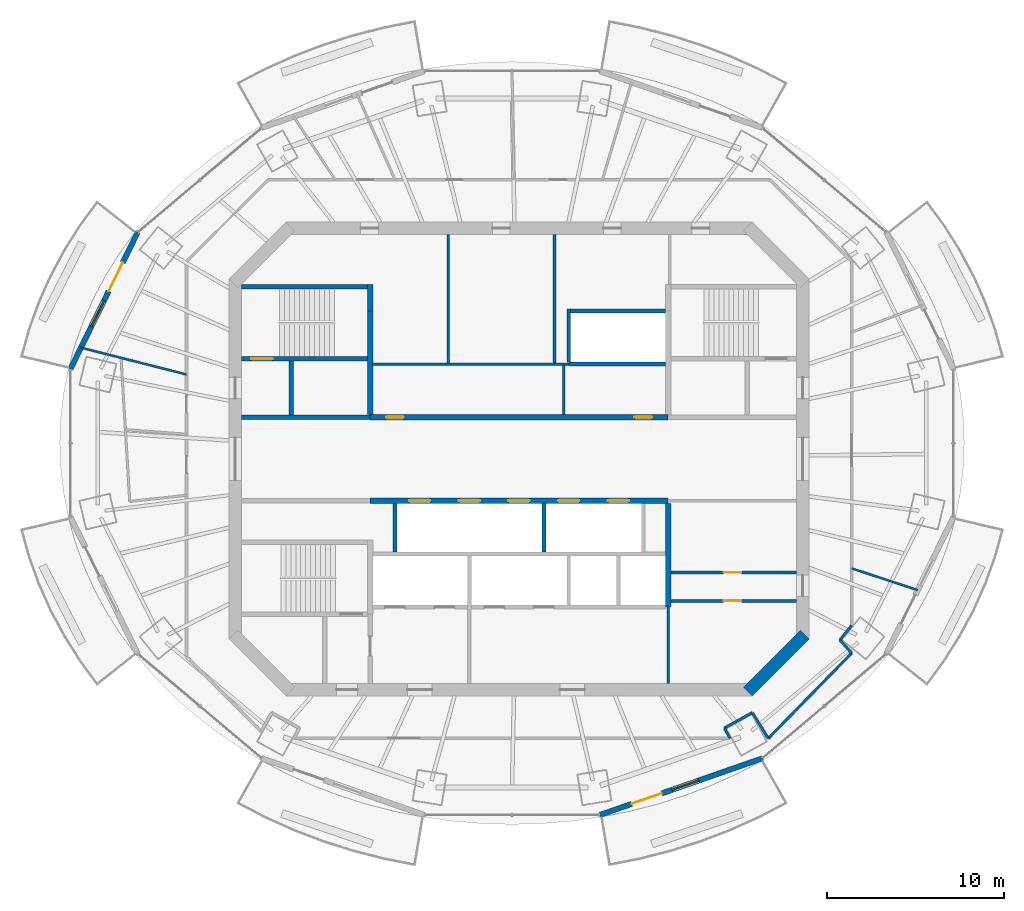
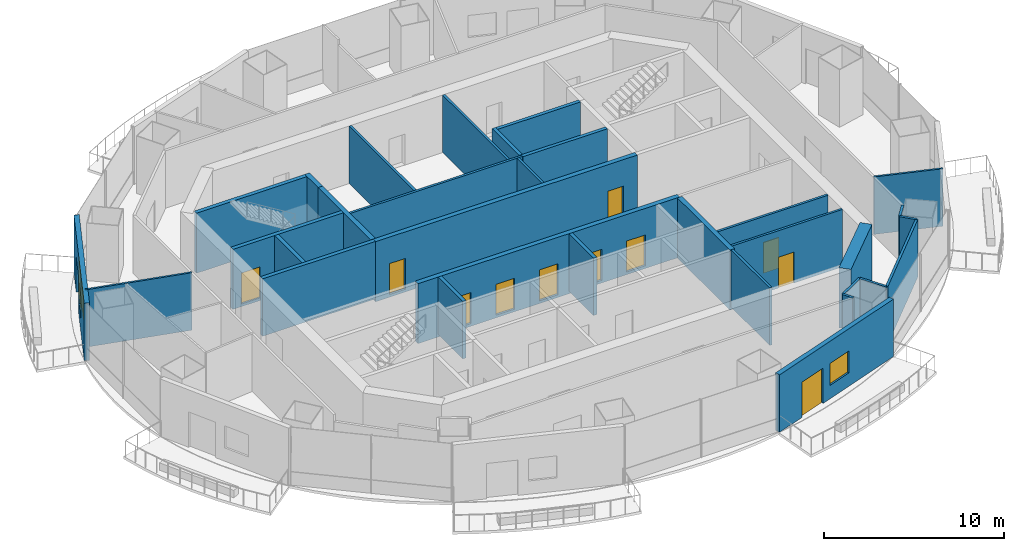
# One storey, part 9 of 14: 32 walls, 12 doors, 2 windows, 14 openings.
"""IFC4 building model written with IfcOpenShell, lengths in metres."""

from ifc_helpers import new_model, si_unit, direction, frame, frame_2d, origin, place, context, subcontext, project, spatial, rectangle, extrude, material, layer, layer_set, type_object, element, fill, save


model = new_model("IFC4")

# Units and contexts
model_context = context("Model", 3, precision=1e-05, world=origin(), true_north=direction((0.0, 1.0)))
body_context = subcontext(model_context, "Body", "Model", "MODEL_VIEW")
ifc_project = project(units=[si_unit("LENGTHUNIT", "METRE"), si_unit("AREAUNIT", "SQUARE_METRE"), si_unit("VOLUMEUNIT", "CUBIC_METRE"), si_unit("PLANEANGLEUNIT", "RADIAN"), si_unit("MASSUNIT", "GRAM", prefix="KILO")], contexts=[model_context])

# Site, building, storey
site_placement = place(None, origin())
site = spatial("IfcSite", under=ifc_project, at=site_placement, CompositionType="ELEMENT")
building_placement = place(site_placement, origin())
building = spatial("IfcBuilding", under=site, at=building_placement, Name="Marenthal Gate Tower", CompositionType="ELEMENT")
storey_placement = place(building_placement, frame((0.0, 0.0, 392.39990234375)))
storey = spatial("IfcBuildingStorey", under=building, at=storey_placement, Name="L89", CompositionType="ELEMENT", Elevation=392.39990234375)

# Wall
ifc_material_1 = material(Name="Concrete 60 MPa", Category="concrete")
ifc_layer_1 = layer(ifc_material_1, 0.699951171875)
ifc_layer_set_1 = layer_set([ifc_layer_1], Name="Core shear wall 700")
wall_type_1 = type_object("IfcWallType", Name="Core shear wall 700", PredefinedType="SHEAR", material=ifc_layer_set_1)
wall_1_placement = place(storey_placement, frame((12.8974609375, -13.1025390625, -0.179931640625), z_axis=(0.0, 0.0, 1.0), x_axis=(0.707106781187, 0.707106781187, 0.0)))
element("IfcWall", 1, at=wall_1_placement, inside=storey, type_object=wall_type_1, Name="Core wall 01", PredefinedType="SHEAR", context=body_context, shape_type="SweptSolid", body=[
    extrude(rectangle(XDim=4.53271484375, YDim=0.699951171875, at=frame_2d((2.266357421875, 0.0))), origin(), (0.0, 0.0, 1.0), 4.080078125),
])

# Wall, openings, doors
ifc_material_2 = material(Name="Concrete 50 MPa", Category="concrete")
ifc_layer_2 = layer(ifc_material_2, 0.300048828125)
ifc_layer_set_2 = layer_set([ifc_layer_2], Name="Hoistway shear wall 300")
wall_type_2 = type_object("IfcWallType", Name="Hoistway shear wall 300", PredefinedType="SHEAR", material=ifc_layer_set_2)
wall_2_placement = place(storey_placement, frame((-8.39990234375, -2.35009765625, -0.179931640625), z_axis=(0.0, 0.0, 1.0), x_axis=(1.0, 0.0, 0.0)))
wall_2 = element("IfcWall", 2, at=wall_2_placement, inside=storey, type_object=wall_type_2, Name="Hoistway wall 17", PredefinedType="SHEAR", context=body_context, shape_type="SweptSolid", body=[
    extrude(rectangle(XDim=16.7998046875, YDim=0.300048828125, at=frame_2d((8.39990234375, 0.0))), origin(), (0.0, 0.0, 1.0), 4.080078125),
])
opening_1_placement = place(wall_2_placement, frame((2.199951171875, 0.0, 0.179931640625)))
opening_1 = element("IfcOpeningElement", 3, at=opening_1_placement, cuts=wall_2, Name="Opening LD-HP1", PredefinedType="OPENING", context=body_context, shape_type="SweptSolid", body=[
    extrude(rectangle(XDim=1.199951171875, YDim=2.10009765625, at=frame_2d((0.60009765625, 1.050048828125))), frame((0.0, 0.16015625, 0.0), z_axis=(0.0, -1.0, 0.0), x_axis=(1.0, 0.0, 0.0)), (0.0, 0.0, 1.0), 0.320068359375),
])
opening_2_placement = place(wall_2_placement, frame((5.0, 0.0, 0.179931640625)))
opening_2 = element("IfcOpeningElement", 4, at=opening_2_placement, cuts=wall_2, Name="Opening LD-HP2", PredefinedType="OPENING", context=body_context, shape_type="SweptSolid", body=[
    extrude(rectangle(XDim=1.199951171875, YDim=2.10009765625, at=frame_2d((0.60009765625, 1.050048828125))), frame((0.0, 0.16015625, 0.0), z_axis=(0.0, -1.0, 0.0), x_axis=(1.0, 0.0, 0.0)), (0.0, 0.0, 1.0), 0.320068359375),
])
opening_3_placement = place(wall_2_placement, frame((7.800048828125, 0.0, 0.179931640625)))
opening_3 = element("IfcOpeningElement", 5, at=opening_3_placement, cuts=wall_2, Name="Opening LD-HP3", PredefinedType="OPENING", context=body_context, shape_type="SweptSolid", body=[
    extrude(rectangle(XDim=1.199951171875, YDim=2.10009765625, at=frame_2d((0.60009765625, 1.050048828125))), frame((0.0, 0.16015625, 0.0), z_axis=(0.0, -1.0, 0.0), x_axis=(1.0, 0.0, 0.0)), (0.0, 0.0, 1.0), 0.320068359375),
])
opening_4_placement = place(wall_2_placement, frame((10.60009765625, 0.0, 0.179931640625)))
opening_4 = element("IfcOpeningElement", 6, at=opening_4_placement, cuts=wall_2, Name="Opening LD-HP4", PredefinedType="OPENING", context=body_context, shape_type="SweptSolid", body=[
    extrude(rectangle(XDim=1.199951171875, YDim=2.10009765625, at=frame_2d((0.60009765625, 1.050048828125))), frame((0.0, 0.16015625, 0.0), z_axis=(0.0, -1.0, 0.0), x_axis=(1.0, 0.0, 0.0)), (0.0, 0.0, 1.0), 0.320068359375),
])
opening_5_placement = place(wall_2_placement, frame((13.39990234375, 0.0, 0.179931640625)))
opening_5 = element("IfcOpeningElement", 7, at=opening_5_placement, cuts=wall_2, Name="Opening LD-HP5", PredefinedType="OPENING", context=body_context, shape_type="SweptSolid", body=[
    extrude(rectangle(XDim=1.199951171875, YDim=2.10009765625, at=frame_2d((0.60009765625, 1.050048828125))), frame((0.0, 0.16015625, 0.0), z_axis=(0.0, -1.0, 0.0), x_axis=(1.0, 0.0, 0.0)), (0.0, 0.0, 1.0), 0.320068359375),
])
ifc_material_3 = material(Name="Stainless steel sliding door", Category="steel")
door_type_1 = type_object("IfcDoorType", Name="Lift landing door FD 90 1200 x 2100", OperationType="DOUBLE_DOOR_SLIDING", PredefinedType="DOOR", material=ifc_material_3)
door_1_placement = place(opening_1_placement, origin())
door_1 = element("IfcDoor", 8, at=door_1_placement, inside=storey, type_object=door_type_1, Name="Lift landing door HP1", OperationType="DOUBLE_DOOR_SLIDING", OverallHeight=2.10009765625, OverallWidth=1.199951171875, PredefinedType="DOOR", context=body_context, shape_type="SweptSolid", body=[
    extrude(rectangle(XDim=1.199951171875, YDim=2.10009765625, at=frame_2d((0.60009765625, 1.050048828125))), frame((0.0, 0.02490234375, 0.0), z_axis=(0.0, -1.0, 0.0), x_axis=(1.0, 0.0, 0.0)), (0.0, 0.0, 1.0), 0.050048828125),
])
fill(opening_1, door_1)
door_2_placement = place(opening_2_placement, origin())
door_2 = element("IfcDoor", 9, at=door_2_placement, inside=storey, type_object=door_type_1, Name="Lift landing door HP2", OperationType="DOUBLE_DOOR_SLIDING", OverallHeight=2.10009765625, OverallWidth=1.199951171875, PredefinedType="DOOR", context=body_context, shape_type="SweptSolid", body=[
    extrude(rectangle(XDim=1.199951171875, YDim=2.10009765625, at=frame_2d((0.60009765625, 1.050048828125))), frame((0.0, 0.02490234375, 0.0), z_axis=(0.0, -1.0, 0.0), x_axis=(1.0, 0.0, 0.0)), (0.0, 0.0, 1.0), 0.050048828125),
])
fill(opening_2, door_2)
door_3_placement = place(opening_3_placement, origin())
door_3 = element("IfcDoor", 10, at=door_3_placement, inside=storey, type_object=door_type_1, Name="Lift landing door HP3", OperationType="DOUBLE_DOOR_SLIDING", OverallHeight=2.10009765625, OverallWidth=1.199951171875, PredefinedType="DOOR", context=body_context, shape_type="SweptSolid", body=[
    extrude(rectangle(XDim=1.199951171875, YDim=2.10009765625, at=frame_2d((0.60009765625, 1.050048828125))), frame((0.0, 0.02490234375, 0.0), z_axis=(0.0, -1.0, 0.0), x_axis=(1.0, 0.0, 0.0)), (0.0, 0.0, 1.0), 0.050048828125),
])
fill(opening_3, door_3)
door_4_placement = place(opening_4_placement, origin())
door_4 = element("IfcDoor", 11, at=door_4_placement, inside=storey, type_object=door_type_1, Name="Lift landing door HP4", OperationType="DOUBLE_DOOR_SLIDING", OverallHeight=2.10009765625, OverallWidth=1.199951171875, PredefinedType="DOOR", context=body_context, shape_type="SweptSolid", body=[
    extrude(rectangle(XDim=1.199951171875, YDim=2.10009765625, at=frame_2d((0.60009765625, 1.050048828125))), frame((0.0, 0.02490234375, 0.0), z_axis=(0.0, -1.0, 0.0), x_axis=(1.0, 0.0, 0.0)), (0.0, 0.0, 1.0), 0.050048828125),
])
fill(opening_4, door_4)
door_5_placement = place(opening_5_placement, origin())
door_5 = element("IfcDoor", 12, at=door_5_placement, inside=storey, type_object=door_type_1, Name="Lift landing door HP5", OperationType="DOUBLE_DOOR_SLIDING", OverallHeight=2.10009765625, OverallWidth=1.199951171875, PredefinedType="DOOR", context=body_context, shape_type="SweptSolid", body=[
    extrude(rectangle(XDim=1.199951171875, YDim=2.10009765625, at=frame_2d((0.60009765625, 1.050048828125))), frame((0.0, 0.02490234375, 0.0), z_axis=(0.0, -1.0, 0.0), x_axis=(1.0, 0.0, 0.0)), (0.0, 0.0, 1.0), 0.050048828125),
])
fill(opening_5, door_5)

wall_3_placement = place(storey_placement, frame((-8.39990234375, 2.35009765625, -0.179931640625), z_axis=(0.0, 0.0, 1.0), x_axis=(1.0, 0.0, 0.0)))
wall_3 = element("IfcWall", 13, at=wall_3_placement, inside=storey, type_object=wall_type_2, Name="Hoistway wall 20", PredefinedType="SHEAR", context=body_context, shape_type="SweptSolid", body=[
    extrude(rectangle(XDim=16.7998046875, YDim=0.300048828125, at=frame_2d((8.39990234375, 0.0))), origin(), (0.0, 0.0, 1.0), 4.080078125),
])
opening_6_placement = place(wall_3_placement, frame((0.89990234375, 0.0, 0.179931640625)))
opening_6 = element("IfcOpeningElement", 14, at=opening_6_placement, cuts=wall_3, Name="Opening D005.01", PredefinedType="OPENING", context=body_context, shape_type="SweptSolid", body=[
    extrude(rectangle(XDim=1.0, YDim=2.10009765625, at=frame_2d((0.5, 1.050048828125))), frame((0.0, 0.16015625, 0.0), z_axis=(0.0, -1.0, 0.0), x_axis=(1.0, 0.0, 0.0)), (0.0, 0.0, 1.0), 0.320068359375),
])
opening_7_placement = place(wall_3_placement, frame((14.89990234375, 0.0, 0.179931640625)))
opening_7 = element("IfcOpeningElement", 15, at=opening_7_placement, cuts=wall_3, Name="Opening D005.02", PredefinedType="OPENING", context=body_context, shape_type="SweptSolid", body=[
    extrude(rectangle(XDim=1.0, YDim=2.10009765625, at=frame_2d((0.5, 1.050048828125))), frame((0.0, 0.16015625, 0.0), z_axis=(0.0, -1.0, 0.0), x_axis=(1.0, 0.0, 0.0)), (0.0, 0.0, 1.0), 0.320068359375),
])
ifc_material_4 = material(Name="Steel fire door", Category="steel")
door_type_2 = type_object("IfcDoorType", Name="Fire door FD 45 1000 x 2100", OperationType="NOTDEFINED", PredefinedType="DOOR", material=ifc_material_4)
door_6_placement = place(opening_6_placement, origin())
door_6 = element("IfcDoor", 16, at=door_6_placement, inside=storey, type_object=door_type_2, Name="Door D005.01", OperationType="SINGLE_SWING_RIGHT", OverallHeight=2.10009765625, OverallWidth=1.0, PredefinedType="DOOR", context=body_context, shape_type="SweptSolid", body=[
    extrude(rectangle(XDim=1.0, YDim=2.10009765625, at=frame_2d((0.5, 1.050048828125))), frame((0.0, 0.02490234375, 0.0), z_axis=(0.0, -1.0, 0.0), x_axis=(1.0, 0.0, 0.0)), (0.0, 0.0, 1.0), 0.050048828125),
])
fill(opening_6, door_6)
door_7_placement = place(opening_7_placement, origin())
door_7 = element("IfcDoor", 17, at=door_7_placement, inside=storey, type_object=door_type_2, Name="Door D005.02", OperationType="SINGLE_SWING_RIGHT", OverallHeight=2.10009765625, OverallWidth=1.0, PredefinedType="DOOR", context=body_context, shape_type="SweptSolid", body=[
    extrude(rectangle(XDim=1.0, YDim=2.10009765625, at=frame_2d((0.5, 1.050048828125))), frame((0.0, 0.02490234375, 0.0), z_axis=(0.0, -1.0, 0.0), x_axis=(1.0, 0.0, 0.0)), (0.0, 0.0, 1.0), 0.050048828125),
])
fill(opening_7, door_7)

# Walls
for number, where, z_axis, x_axis, name in (
    (18, (-8.39990234375, 2.5, -0.179931640625), (0.0, 0.0, 1.0), (0.0, 1.0, 0.0), "Hoistway wall 33"),
    (19, (8.39990234375, -8.35009765625, -0.179931640625), (0.0, 0.0, 1.0), (0.0, 1.0, 0.0), "Hoistway wall 47"),
):
    element("IfcWall", number, at=place(storey_placement, frame(where, z_axis=z_axis, x_axis=x_axis)), inside=storey, type_object=wall_type_2, Name=name, PredefinedType="SHEAR", context=body_context, shape_type="SweptSolid", body=[
        extrude(rectangle(XDim=5.85009765625, YDim=0.300048828125, at=frame_2d((2.925048828125, 0.0))), origin(), (0.0, 0.0, 1.0), 4.080078125),
    ])
ifc_material_5 = material(Name="Concrete 40 MPa", Category="concrete")
ifc_layer_3 = layer(ifc_material_5, 0.219970703125)
ifc_layer_set_3 = layer_set([ifc_layer_3], Name="Hoistway wall 220")
wall_type_3 = type_object("IfcWallType", Name="Hoistway wall 220", PredefinedType="STANDARD", material=ifc_layer_set_3)
wall_4_placement = place(storey_placement, frame((2.800048828125, 5.35009765625, 0.0), z_axis=(0.0, 0.0, 1.0), x_axis=(1.0, 0.0, 0.0)))
element("IfcWall", 20, at=wall_4_placement, inside=storey, type_object=wall_type_3, Name="Hoistway wall 23", PredefinedType="STANDARD", context=body_context, shape_type="SweptSolid", body=[
    extrude(rectangle(XDim=5.449951171875, YDim=0.219970703125, at=frame_2d((2.72509765625, 0.0))), origin(), (0.0, 0.0, 1.0), 3.900146484375),
])
wall_5_placement = place(storey_placement, frame((2.909912109375, 8.35009765625, 0.0), z_axis=(0.0, 0.0, 1.0), x_axis=(1.0, 0.0, 0.0)))
element("IfcWall", 21, at=wall_5_placement, inside=storey, type_object=wall_type_3, Name="Hoistway wall 26", PredefinedType="STANDARD", context=body_context, shape_type="SweptSolid", body=[
    extrude(rectangle(XDim=5.340087890625, YDim=0.219970703125, at=frame_2d((2.669921875, 0.0))), origin(), (0.0, 0.0, 1.0), 3.900146484375),
])
for number, where, z_axis, x_axis, name in (
    (22, (-7.0, -5.239990234375, 0.0), (0.0, 0.0, 1.0), (0.0, 1.0, 0.0), "Hoistway wall 35"),
    (23, (1.39990234375, -5.239990234375, 0.0), (0.0, 0.0, 1.0), (0.0, 1.0, 0.0), "Hoistway wall 39"),
):
    element("IfcWall", number, at=place(storey_placement, frame(where, z_axis=z_axis, x_axis=x_axis)), inside=storey, type_object=wall_type_3, Name=name, PredefinedType="STANDARD", context=body_context, shape_type="SweptSolid", body=[
        extrude(rectangle(XDim=2.739990234375, YDim=0.219970703125, at=frame_2d((1.3701171875, 0.0))), origin(), (0.0, 0.0, 1.0), 3.900146484375),
    ])
wall_6_placement = place(storey_placement, frame((2.800048828125, 5.4599609375, 0.0), z_axis=(0.0, 0.0, 1.0), x_axis=(0.0, 1.0, 0.0)))
element("IfcWall", 24, at=wall_6_placement, inside=storey, type_object=wall_type_3, Name="Hoistway wall 43", PredefinedType="STANDARD", context=body_context, shape_type="SweptSolid", body=[
    extrude(rectangle(XDim=3.0, YDim=0.219970703125, at=frame_2d((1.5, 0.0))), origin(), (0.0, 0.0, 1.0), 3.900146484375),
])
ifc_material_6 = material(Name="Gypsum board on steel studs", Category="steel")
ifc_layer_4 = layer(ifc_material_6, 0.1201171875)
ifc_layer_set_4 = layer_set([ifc_layer_4], Name="Partition 120")
wall_type_4 = type_object("IfcWallType", Name="Partition 120", PredefinedType="PARTITIONING", material=ifc_layer_set_4)
wall_7_placement = place(storey_placement, frame((-18.75, 4.765380859375, 0.0), z_axis=(0.0, 0.0, 1.0), x_axis=(-0.969189937919, 0.246314563589, 0.0)))
element("IfcWall", 25, at=wall_7_placement, inside=storey, type_object=wall_type_4, Name="Partition wall 56", PredefinedType="PARTITIONING", context=body_context, shape_type="SweptSolid", body=[
    extrude(rectangle(XDim=6.138427734375, YDim=0.1201171875, at=frame_2d((3.0693359375, 0.0))), origin(), (0.0, 0.0, 1.0), 3.900146484375),
])
wall_8_placement = place(storey_placement, frame((18.75, -6.166015625, 0.0), z_axis=(0.0, 0.0, 1.0), x_axis=(0.949948202416, -0.312407446657, 0.0)))
element("IfcWall", 26, at=wall_8_placement, inside=storey, type_object=wall_type_4, Name="Partition wall 75", PredefinedType="PARTITIONING", context=body_context, shape_type="SweptSolid", body=[
    extrude(rectangle(XDim=3.91357421875, YDim=0.1201171875, at=frame_2d((1.956787109375, 0.0))), origin(), (0.0, 0.0, 1.0), 3.900146484375),
])

# Wall, opening, door
ifc_material_7 = material(Name="Gypsum board on steel studs", Category="steel")
ifc_layer_5 = layer(ifc_material_7, 0.14990234375)
ifc_layer_set_5 = layer_set([ifc_layer_5], Name="Partition 150")
wall_type_5 = type_object("IfcWallType", Name="Partition 150", PredefinedType="PARTITIONING", material=ifc_layer_set_5)
wall_9_placement = place(storey_placement, frame((8.550048828125, -8.0, 0.0), z_axis=(0.0, 0.0, 1.0), x_axis=(1.0, 0.0, 0.0)))
wall_9 = element("IfcWall", 27, at=wall_9_placement, inside=storey, type_object=wall_type_5, Name="Partition wall 12", PredefinedType="PARTITIONING", context=body_context, shape_type="SweptSolid", body=[
    extrude(rectangle(XDim=7.099853515625, YDim=0.14990234375, at=frame_2d((3.5498046875, 0.0))), origin(), (0.0, 0.0, 1.0), 3.900146484375),
])
opening_8_placement = place(wall_9_placement, frame((2.97509765625, 0.0, 0.0)))
opening_8 = element("IfcOpeningElement", 28, at=opening_8_placement, cuts=wall_9, Name="Opening D005.08", PredefinedType="OPENING", context=body_context, shape_type="SweptSolid", body=[
    extrude(rectangle(XDim=1.0, YDim=2.10009765625, at=frame_2d((0.5, 1.050048828125))), frame((0.0, 0.0849609375, 0.0), z_axis=(0.0, -1.0, 0.0), x_axis=(1.0, 0.0, 0.0)), (0.0, 0.0, 1.0), 0.169921875),
])
door_8_placement = place(opening_8_placement, frame((1.0, 0.0, 0.0), z_axis=(0.0, 0.0, 1.0), x_axis=(-1.0, 0.0, 0.0)))
door_8 = element("IfcDoor", 29, at=door_8_placement, inside=storey, type_object=door_type_2, Name="Door D005.08", OperationType="SINGLE_SWING_LEFT", OverallHeight=2.10009765625, OverallWidth=1.0, PredefinedType="DOOR", context=body_context, shape_type="SweptSolid", body=[
    extrude(rectangle(XDim=1.0, YDim=2.10009765625, at=frame_2d((0.5, 1.050048828125))), frame((0.0, 0.02490234375, 0.0), z_axis=(0.0, -1.0, 0.0), x_axis=(1.0, 0.0, 0.0)), (0.0, 0.0, 1.0), 0.050048828125),
])
fill(opening_8, door_8)

wall_10_placement = place(storey_placement, frame((8.550048828125, -6.39990234375, 0.0), z_axis=(0.0, 0.0, 1.0), x_axis=(1.0, 0.0, 0.0)))
wall_10 = element("IfcWall", 30, at=wall_10_placement, inside=storey, type_object=wall_type_5, Name="Partition wall 13", PredefinedType="PARTITIONING", context=body_context, shape_type="SweptSolid", body=[
    extrude(rectangle(XDim=7.099853515625, YDim=0.14990234375, at=frame_2d((3.5498046875, 0.0))), origin(), (0.0, 0.0, 1.0), 3.900146484375),
])
opening_9_placement = place(wall_10_placement, frame((2.97509765625, 0.0, 0.0)))
opening_9 = element("IfcOpeningElement", 31, at=opening_9_placement, cuts=wall_10, Name="Opening D005.07", PredefinedType="OPENING", context=body_context, shape_type="SweptSolid", body=[
    extrude(rectangle(XDim=1.0, YDim=2.10009765625, at=frame_2d((0.5, 1.050048828125))), frame((0.0, 0.0849609375, 0.0), z_axis=(0.0, -1.0, 0.0), x_axis=(1.0, 0.0, 0.0)), (0.0, 0.0, 1.0), 0.169921875),
])
door_9_placement = place(opening_9_placement, origin())
door_9 = element("IfcDoor", 32, at=door_9_placement, inside=storey, type_object=door_type_2, Name="Door D005.07", OperationType="SINGLE_SWING_RIGHT", OverallHeight=2.10009765625, OverallWidth=1.0, PredefinedType="DOOR", context=body_context, shape_type="SweptSolid", body=[
    extrude(rectangle(XDim=1.0, YDim=2.10009765625, at=frame_2d((0.5, 1.050048828125))), frame((0.0, 0.02490234375, 0.0), z_axis=(0.0, -1.0, 0.0), x_axis=(1.0, 0.0, 0.0)), (0.0, 0.0, 1.0), 0.050048828125),
])
fill(opening_9, door_9)

# Walls
wall_11_placement = place(storey_placement, frame((-8.25, 5.35009765625, 0.0), z_axis=(0.0, 0.0, 1.0), x_axis=(1.0, 0.0, 0.0)))
element("IfcWall", 33, at=wall_11_placement, inside=storey, type_object=wall_type_5, Name="Partition wall 22", PredefinedType="PARTITIONING", context=body_context, shape_type="SweptSolid", body=[
    extrude(rectangle(XDim=11.050048828125, YDim=0.14990234375, at=frame_2d((5.52490234375, 0.0))), origin(), (0.0, 0.0, 1.0), 3.900146484375),
])
for number, where, z_axis, x_axis, name in (
    (34, (-4.0, 5.425048828125, 0.0), (0.0, 0.0, 1.0), (0.0, 1.0, 0.0), "Partition wall 36"),
    (35, (2.0, 5.425048828125, 0.0), (0.0, 0.0, 1.0), (0.0, 1.0, 0.0), "Partition wall 40"),
):
    element("IfcWall", number, at=place(storey_placement, frame(where, z_axis=z_axis, x_axis=x_axis)), inside=storey, type_object=wall_type_5, Name=name, PredefinedType="PARTITIONING", context=body_context, shape_type="SweptSolid", body=[
        extrude(rectangle(XDim=7.224853515625, YDim=0.14990234375, at=frame_2d((3.6123046875, 0.0))), origin(), (0.0, 0.0, 1.0), 3.900146484375),
    ])
wall_12_placement = place(storey_placement, frame((2.52001953125, 2.5, 0.0), z_axis=(0.0, 0.0, 1.0), x_axis=(0.0, 1.0, 0.0)))
element("IfcWall", 36, at=wall_12_placement, inside=storey, type_object=wall_type_5, Name="Partition wall 41", PredefinedType="PARTITIONING", context=body_context, shape_type="SweptSolid", body=[
    extrude(rectangle(XDim=2.77490234375, YDim=0.14990234375, at=frame_2d((1.387451171875, 0.0))), origin(), (0.0, 0.0, 1.0), 3.900146484375),
])
wall_13_placement = place(storey_placement, frame((8.39990234375, -12.64990234375, 0.0), z_axis=(0.0, 0.0, 1.0), x_axis=(0.0, 1.0, 0.0)))
element("IfcWall", 37, at=wall_13_placement, inside=storey, type_object=wall_type_5, Name="Partition wall 46", PredefinedType="PARTITIONING", context=body_context, shape_type="SweptSolid", body=[
    extrude(rectangle(XDim=4.2998046875, YDim=0.14990234375, at=frame_2d((2.14990234375, 0.0))), origin(), (0.0, 0.0, 1.0), 3.900146484375),
])
wall_14_placement = place(storey_placement, frame((11.574462890625, -15.169921875, 0.0), z_axis=(0.0, 0.0, 1.0), x_axis=(0.485642931179, -0.874157276122, 0.0)))
element("IfcWall", 38, at=wall_14_placement, inside=storey, type_object=wall_type_5, Name="Partition wall 67", PredefinedType="PARTITIONING", context=body_context, shape_type="SweptSolid", body=[
    extrude(rectangle(XDim=0.66357421875, YDim=0.14990234375, at=frame_2d((0.331787109375, 0.0))), origin(), (0.0, 0.0, 1.0), 3.900146484375),
])
wall_15_placement = place(storey_placement, frame((13.147705078125, -14.29541015625, 0.0), z_axis=(0.0, 0.0, 1.0), x_axis=(-0.874042088414, -0.485850211157, 0.0)))
element("IfcWall", 39, at=wall_15_placement, inside=storey, type_object=wall_type_5, Name="Partition wall 69", PredefinedType="PARTITIONING", context=body_context, shape_type="SweptSolid", body=[
    extrude(rectangle(XDim=1.800048828125, YDim=0.14990234375, at=frame_2d((0.89990234375, 0.0))), origin(), (0.0, 0.0, 1.0), 3.900146484375),
])
wall_16_placement = place(storey_placement, frame((14.047607421875, -15.75, 0.0), z_axis=(0.0, 0.0, 1.0), x_axis=(-0.526118731738, 0.850411124171, 0.0)))
element("IfcWall", 40, at=wall_16_placement, inside=storey, type_object=wall_type_5, Name="Partition wall 70", PredefinedType="PARTITIONING", context=body_context, shape_type="SweptSolid", body=[
    extrude(rectangle(XDim=1.71044921875, YDim=0.14990234375, at=frame_2d((0.855224609375, 0.0))), origin(), (0.0, 0.0, 1.0), 3.900146484375),
])
wall_17_placement = place(storey_placement, frame((18.084716796875, -10.20703125, 0.0), z_axis=(0.0, 0.0, 1.0), x_axis=(0.671997420102, -0.740553487181, 0.0)))
element("IfcWall", 41, at=wall_17_placement, inside=storey, type_object=wall_type_5, Name="Partition wall 72", PredefinedType="PARTITIONING", context=body_context, shape_type="SweptSolid", body=[
    extrude(rectangle(XDim=0.989990234375, YDim=0.14990234375, at=frame_2d((0.4951171875, 0.0))), origin(), (0.0, 0.0, 1.0), 3.900146484375),
])
wall_18_placement = place(storey_placement, frame((18.75, -10.940185546875, 0.0), z_axis=(0.0, 0.0, 1.0), x_axis=(-0.699076809287, -0.715046582201, 0.0)))
element("IfcWall", 42, at=wall_18_placement, inside=storey, type_object=wall_type_5, Name="Partition wall 73", PredefinedType="PARTITIONING", context=body_context, shape_type="SweptSolid", body=[
    extrude(rectangle(XDim=6.7265625, YDim=0.14990234375, at=frame_2d((3.36328125, 0.0))), origin(), (0.0, 0.0, 1.0), 3.900146484375),
])
wall_19_placement = place(storey_placement, frame((18.75, -9.37890625, 0.0), z_axis=(0.0, 0.0, 1.0), x_axis=(-0.626291350623, -0.779589086721, 0.0)))
element("IfcWall", 43, at=wall_19_placement, inside=storey, type_object=wall_type_5, Name="Partition wall 74", PredefinedType="PARTITIONING", context=body_context, shape_type="SweptSolid", body=[
    extrude(rectangle(XDim=1.062255859375, YDim=0.14990234375, at=frame_2d((0.53125, 0.0))), origin(), (0.0, 0.0, 1.0), 3.900146484375),
])
ifc_material_8 = material(Name="Concrete 40 MPa", Category="concrete")
ifc_layer_6 = layer(ifc_material_8, 0.25)
ifc_layer_set_6 = layer_set([ifc_layer_6], Name="Stair enclosure wall 250")
wall_type_6 = type_object("IfcWallType", Name="Stair enclosure wall 250", PredefinedType="STANDARD", material=ifc_layer_set_6)
wall_20_placement = place(storey_placement, frame((-15.64990234375, 2.35009765625, 0.0), z_axis=(0.0, 0.0, 1.0), x_axis=(1.0, 0.0, 0.0)))
element("IfcWall", 44, at=wall_20_placement, inside=storey, type_object=wall_type_6, Name="Stair wall 19", PredefinedType="STANDARD", context=body_context, shape_type="SweptSolid", body=[
    extrude(rectangle(XDim=7.25, YDim=0.25, at=frame_2d((3.625, 0.0))), origin(), (0.0, 0.0, 1.0), 3.900146484375),
])
wall_21_placement = place(storey_placement, frame((-12.85009765625, 2.47509765625, 0.0), z_axis=(0.0, 0.0, 1.0), x_axis=(0.0, 1.0, 0.0)))
element("IfcWall", 45, at=wall_21_placement, inside=storey, type_object=wall_type_6, Name="Stair wall 29", PredefinedType="STANDARD", context=body_context, shape_type="SweptSolid", body=[
    extrude(rectangle(XDim=3.0498046875, YDim=0.25, at=frame_2d((1.52490234375, 0.0))), origin(), (0.0, 0.0, 1.0), 3.900146484375),
])

# Wall, opening, door
ifc_material_9 = material(Name="Concrete 50 MPa", Category="concrete")
ifc_layer_7 = layer(ifc_material_9, 0.25)
ifc_layer_set_7 = layer_set([ifc_layer_7], Name="Stair shear wall 250")
wall_type_7 = type_object("IfcWallType", Name="Stair shear wall 250", PredefinedType="SHEAR", material=ifc_layer_set_7)
wall_22_placement = place(storey_placement, frame((-15.64990234375, 5.64990234375, -0.179931640625), z_axis=(0.0, 0.0, 1.0), x_axis=(1.0, 0.0, 0.0)))
wall_22 = element("IfcWall", 46, at=wall_22_placement, inside=storey, type_object=wall_type_7, Name="Stair wall 24", PredefinedType="SHEAR", context=body_context, shape_type="SweptSolid", body=[
    extrude(rectangle(XDim=7.099853515625, YDim=0.25, at=frame_2d((3.5498046875, 0.0))), origin(), (0.0, 0.0, 1.0), 4.080078125),
])
opening_10_placement = place(wall_22_placement, frame((0.550048828125, 0.0, 0.179931640625)))
opening_10 = element("IfcOpeningElement", 47, at=opening_10_placement, cuts=wall_22, Name="Opening D001.01", PredefinedType="OPENING", context=body_context, shape_type="SweptSolid", body=[
    extrude(rectangle(XDim=1.199951171875, YDim=2.10009765625, at=frame_2d((0.60009765625, 1.050048828125))), frame((0.0, 0.135009765625, 0.0), z_axis=(0.0, -1.0, 0.0), x_axis=(1.0, 0.0, 0.0)), (0.0, 0.0, 1.0), 0.27001953125),
])
ifc_material_10 = material(Name="Steel fire door", Category="steel")
door_type_3 = type_object("IfcDoorType", Name="Fire door FD 90 1200 x 2100", OperationType="NOTDEFINED", PredefinedType="DOOR", material=ifc_material_10)
door_10_placement = place(opening_10_placement, origin())
door_10 = element("IfcDoor", 48, at=door_10_placement, inside=storey, type_object=door_type_3, Name="Door D001.01", OperationType="SINGLE_SWING_RIGHT", OverallHeight=2.10009765625, OverallWidth=1.199951171875, PredefinedType="DOOR", context=body_context, shape_type="SweptSolid", body=[
    extrude(rectangle(XDim=1.199951171875, YDim=2.10009765625, at=frame_2d((0.60009765625, 1.050048828125))), frame((0.0, 0.02490234375, 0.0), z_axis=(0.0, -1.0, 0.0), x_axis=(1.0, 0.0, 0.0)), (0.0, 0.0, 1.0), 0.050048828125),
])
fill(opening_10, door_10)

# Walls
wall_23_placement = place(storey_placement, frame((-15.64990234375, 9.699951171875, -0.179931640625), z_axis=(0.0, 0.0, 1.0), x_axis=(1.0, 0.0, 0.0)))
element("IfcWall", 49, at=wall_23_placement, inside=storey, type_object=wall_type_7, Name="Stair wall 27", PredefinedType="SHEAR", context=body_context, shape_type="SweptSolid", body=[
    extrude(rectangle(XDim=7.099853515625, YDim=0.25, at=frame_2d((3.5498046875, 0.0))), origin(), (0.0, 0.0, 1.0), 4.080078125),
])
ifc_material_11 = material(Name="Concrete 50 MPa", Category="concrete")
ifc_layer_8 = layer(ifc_material_11, 0.300048828125)
ifc_layer_set_8 = layer_set([ifc_layer_8], Name="Stair shear wall 300")
wall_type_8 = type_object("IfcWallType", Name="Stair shear wall 300", PredefinedType="SHEAR", material=ifc_layer_set_8)
wall_24_placement = place(storey_placement, frame((-8.39990234375, 8.35009765625, -0.179931640625), z_axis=(0.0, 0.0, 1.0), x_axis=(0.0, 1.0, 0.0)))
element("IfcWall", 50, at=wall_24_placement, inside=storey, type_object=wall_type_8, Name="Stair wall 34", PredefinedType="SHEAR", context=body_context, shape_type="SweptSolid", body=[
    extrude(rectangle(XDim=1.474853515625, YDim=0.300048828125, at=frame_2d((0.7373046875, 0.0))), origin(), (0.0, 0.0, 1.0), 4.080078125),
])

# Wall, openings, door, window
ifc_material_12 = material(Name="Terracotta cladding on insulated concrete-block backing", Category="masonry")
ifc_layer_9 = layer(ifc_material_12, 0.300048828125)
ifc_layer_set_9 = layer_set([ifc_layer_9], Name="Terracotta facade wall 300")
wall_type_9 = type_object("IfcWallType", Name="Terracotta facade wall 300", PredefinedType="SOLIDWALL", material=ifc_layer_set_9)
wall_25_placement = place(storey_placement, frame((-21.502685546875, 12.778076171875, 0.0), z_axis=(0.0, 0.0, 1.0), x_axis=(-0.441245353493, -0.897386504256, 0.0)))
wall_25 = element("IfcWall", 51, at=wall_25_placement, inside=storey, type_object=wall_type_9, Name="Terracotta facade wall L89 bay 7", PredefinedType="SOLIDWALL", context=body_context, shape_type="SweptSolid", body=[
    extrude(rectangle(XDim=8.58837890625, YDim=0.300048828125, at=frame_2d((4.294189453125, 0.0))), origin(), (0.0, 0.0, 1.0), 3.900146484375),
])
opening_11_placement = place(wall_25_placement, frame((1.89990234375, 0.0, 0.0)))
opening_11 = element("IfcOpeningElement", 52, at=opening_11_placement, cuts=wall_25, Name="Opening BD-L89-07", PredefinedType="OPENING", context=body_context, shape_type="SweptSolid", body=[
    extrude(rectangle(XDim=1.800048828125, YDim=2.39990234375, at=frame_2d((0.89990234375, 1.199951171875))), frame((0.0, 0.16015625, 0.0), z_axis=(0.0, -1.0, 0.0), x_axis=(1.0, 0.0, 0.0)), (0.0, 0.0, 1.0), 0.320068359375),
])
opening_12_placement = place(wall_25_placement, frame((4.300048828125, 0.0, 0.89990234375)))
opening_12 = element("IfcOpeningElement", 53, at=opening_12_placement, cuts=wall_25, Name="Opening WN3-L89-07", PredefinedType="OPENING", context=body_context, shape_type="SweptSolid", body=[
    extrude(rectangle(XDim=1.60009765625, YDim=1.5, at=frame_2d((0.800048828125, 0.75))), frame((0.0, 0.16015625, 0.0), z_axis=(0.0, -1.0, 0.0), x_axis=(1.0, 0.0, 0.0)), (0.0, 0.0, 1.0), 0.320068359375),
])
ifc_material_13 = material(Name="Aluminium and glass", Category="aluminium")
door_type_4 = type_object("IfcDoorType", Name="Balcony door 1800x2400", OperationType="DOUBLE_DOOR_SINGLE_SWING", PredefinedType="DOOR", material=ifc_material_13)
door_11_placement = place(opening_11_placement, origin())
door_11 = element("IfcDoor", 54, at=door_11_placement, inside=storey, type_object=door_type_4, Name="Balcony door L89 bay 7", OperationType="SINGLE_SWING_LEFT", OverallHeight=2.39990234375, OverallWidth=1.800048828125, PredefinedType="DOOR", context=body_context, shape_type="SweptSolid", body=[
    extrude(rectangle(XDim=1.800048828125, YDim=2.39990234375, at=frame_2d((0.89990234375, 1.199951171875))), frame((0.0, 0.02490234375, 0.0), z_axis=(0.0, -1.0, 0.0), x_axis=(1.0, 0.0, 0.0)), (0.0, 0.0, 1.0), 0.050048828125),
])
fill(opening_11, door_11)
ifc_material_14 = material(Name="Aluminium and glass", Category="aluminium")
window_type = type_object("IfcWindowType", Name="Window 1600x1500", PartitioningType="DOUBLE_PANEL_VERTICAL", PredefinedType="WINDOW", material=ifc_material_14)
window_1_placement = place(opening_12_placement, origin())
window_1 = element("IfcWindow", 55, at=window_1_placement, inside=storey, type_object=window_type, Name="Window L89 bay 7", OverallHeight=1.5, OverallWidth=1.60009765625, PartitioningType="SINGLE_PANEL", PredefinedType="WINDOW", context=body_context, shape_type="SweptSolid", body=[
    extrude(rectangle(XDim=1.60009765625, YDim=1.5, at=frame_2d((0.800048828125, 0.75))), frame((0.0, 0.030029296875, 0.0), z_axis=(0.0, -1.0, 0.0), x_axis=(1.0, 0.0, 0.0)), (0.0, 0.0, 1.0), 0.06005859375),
])
fill(opening_12, window_1)

wall_26_placement = place(storey_placement, frame((4.551513671875, -20.069091796875, 0.0), z_axis=(0.0, 0.0, 1.0), x_axis=(0.944171386598, 0.329454689949, 0.0)))
wall_26 = element("IfcWall", 56, at=wall_26_placement, inside=storey, type_object=wall_type_9, Name="Terracotta facade wall L89 bay 13", PredefinedType="SOLIDWALL", context=body_context, shape_type="SweptSolid", body=[
    extrude(rectangle(XDim=9.68994140625, YDim=0.300048828125, at=frame_2d((4.844970703125, 0.0))), origin(), (0.0, 0.0, 1.0), 3.900146484375),
])
opening_13_placement = place(wall_26_placement, frame((1.89990234375, 0.0, 0.0)))
opening_13 = element("IfcOpeningElement", 57, at=opening_13_placement, cuts=wall_26, Name="Opening BD-L89-13", PredefinedType="OPENING", context=body_context, shape_type="SweptSolid", body=[
    extrude(rectangle(XDim=1.800048828125, YDim=2.39990234375, at=frame_2d((0.89990234375, 1.199951171875))), frame((0.0, 0.16015625, 0.0), z_axis=(0.0, -1.0, 0.0), x_axis=(1.0, 0.0, 0.0)), (0.0, 0.0, 1.0), 0.320068359375),
])
opening_14_placement = place(wall_26_placement, frame((4.300048828125, 0.0, 0.89990234375)))
opening_14 = element("IfcOpeningElement", 58, at=opening_14_placement, cuts=wall_26, Name="Opening WN3-L89-13", PredefinedType="OPENING", context=body_context, shape_type="SweptSolid", body=[
    extrude(rectangle(XDim=1.60009765625, YDim=1.5, at=frame_2d((0.800048828125, 0.75))), frame((0.0, 0.16015625, 0.0), z_axis=(0.0, -1.0, 0.0), x_axis=(1.0, 0.0, 0.0)), (0.0, 0.0, 1.0), 0.320068359375),
])
door_12_placement = place(opening_13_placement, origin())
door_12 = element("IfcDoor", 59, at=door_12_placement, inside=storey, type_object=door_type_4, Name="Balcony door L89 bay 13", OperationType="SINGLE_SWING_LEFT", OverallHeight=2.39990234375, OverallWidth=1.800048828125, PredefinedType="DOOR", context=body_context, shape_type="SweptSolid", body=[
    extrude(rectangle(XDim=1.800048828125, YDim=2.39990234375, at=frame_2d((0.89990234375, 1.199951171875))), frame((0.0, 0.02490234375, 0.0), z_axis=(0.0, -1.0, 0.0), x_axis=(1.0, 0.0, 0.0)), (0.0, 0.0, 1.0), 0.050048828125),
])
fill(opening_13, door_12)
window_2_placement = place(opening_14_placement, origin())
window_2 = element("IfcWindow", 60, at=window_2_placement, inside=storey, type_object=window_type, Name="Window L89 bay 13", OverallHeight=1.5, OverallWidth=1.60009765625, PartitioningType="SINGLE_PANEL", PredefinedType="WINDOW", context=body_context, shape_type="SweptSolid", body=[
    extrude(rectangle(XDim=1.60009765625, YDim=1.5, at=frame_2d((0.800048828125, 0.75))), frame((0.0, 0.030029296875, 0.0), z_axis=(0.0, -1.0, 0.0), x_axis=(1.0, 0.0, 0.0)), (0.0, 0.0, 1.0), 0.06005859375),
])
fill(opening_14, window_2)

save(model, "model.ifc")
